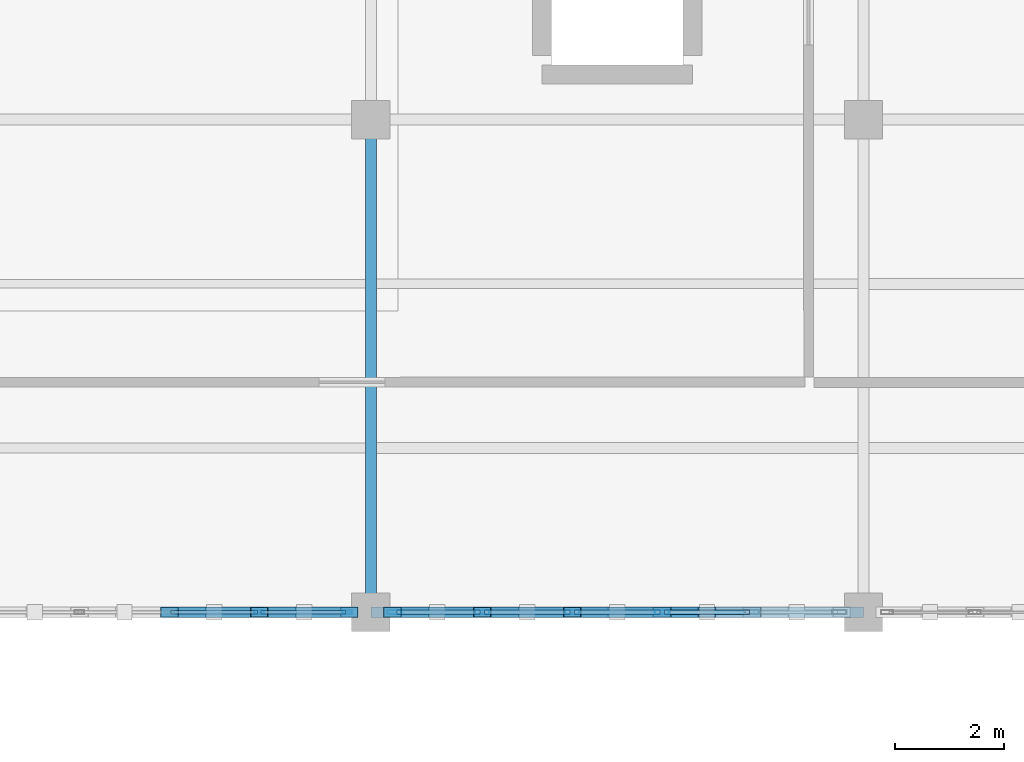
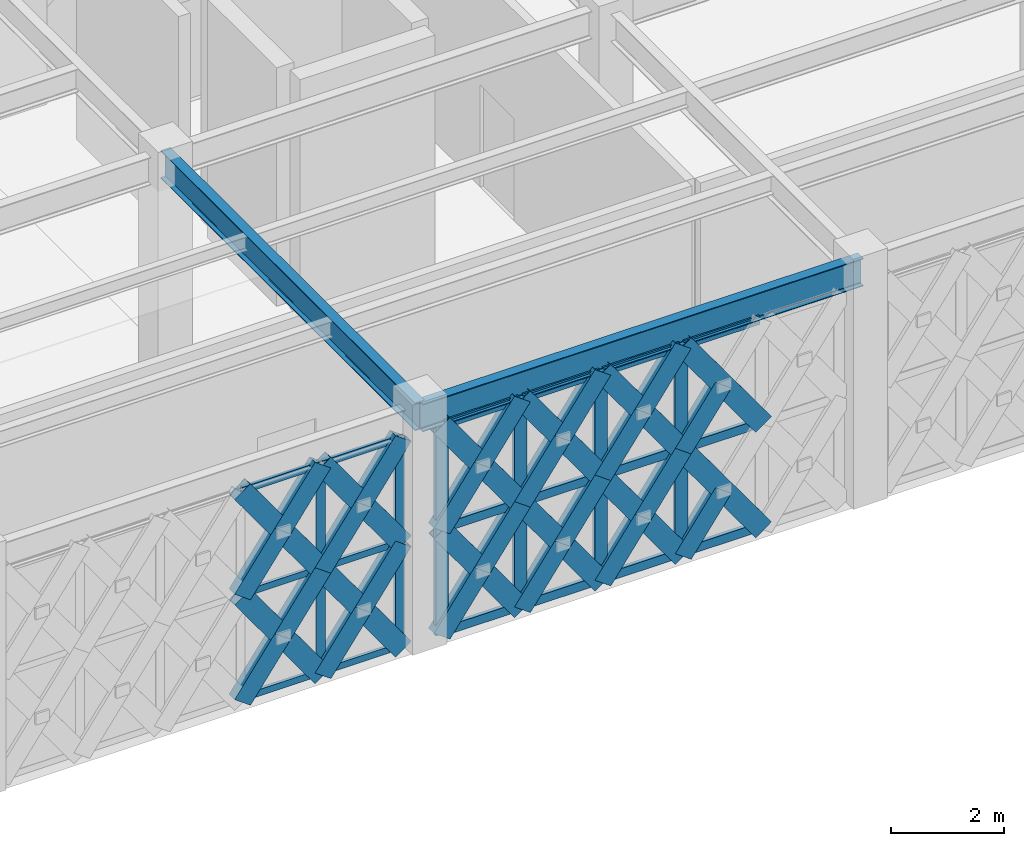
# One storey, part 7 of 72: 58 members, 2 beams, 2 elements without a shape of their own.
"""IFC4 building model written with IfcOpenShell, lengths in metres."""

from ifc_helpers import new_model, si_unit, direction, frame, origin, origin_2d, place, context, subcontext, project, spatial, hollow_rectangle, i_section, extrude, material, material_profile, profile_set, type_object, element, aggregate, save


model = new_model("IFC4")

# Units and contexts
model_context = context("Model", 3, precision=1e-05, world=origin(), true_north=direction((0.0, 1.0)))
body_context = subcontext(model_context, "Body", "Model", "MODEL_VIEW")
ifc_project = project(units=[si_unit("LENGTHUNIT", "METRE"), si_unit("AREAUNIT", "SQUARE_METRE"), si_unit("VOLUMEUNIT", "CUBIC_METRE"), si_unit("PLANEANGLEUNIT", "RADIAN"), si_unit("MASSUNIT", "GRAM", prefix="KILO")], contexts=[model_context])

# Site, building, storey
site_placement = place(None, origin())
site = spatial("IfcSite", under=ifc_project, at=site_placement, CompositionType="ELEMENT")
building_placement = place(site_placement, origin())
building = spatial("IfcBuilding", under=site, at=building_placement, Name="Haizhuo Lancet Aquarium", CompositionType="ELEMENT")
storey_placement = place(building_placement, frame((0.0, 0.0, 21.60009765625)))
storey = spatial("IfcBuildingStorey", under=building, at=storey_placement, Name="L04", CompositionType="ELEMENT", Elevation=21.60009765625)

# Beams
ifc_material_1 = material(Name="Steel S355", Category="steel")
ifc_material_profile_1 = material_profile(ifc_material_1, i_section(OverallWidth=0.199951171875, OverallDepth=0.60009765625, WebThickness=0.010986328125, FlangeThickness=0.01708984375, FilletRadius=0.02197265625, at=origin_2d()), Name="HN 600x200x11x17")
ifc_profile_set_1 = profile_set([ifc_material_profile_1], Name="Steel S355")
beam_type = type_object("IfcBeamType", Name="BM-ST-HN600", PredefinedType="BEAM", material=ifc_profile_set_1)
for number, where, z_axis, x_axis, name in (
    (1, (-63.0, -27.0, 4.849853515625), (0.0, 1.0, 0.0), (-1.0, 0.0, 0.0), "L04 V6 primary girder BM-L04-V6-009"),
    (2, (-63.0, -27.0, 4.849853515625), (1.0, 0.0, 0.0), (0.0, 1.0, 0.0), "L04 V6 primary girder BM-L04-V6-010"),
):
    element("IfcBeam", number, at=place(storey_placement, frame(where, z_axis=z_axis, x_axis=x_axis)), inside=storey, type_object=beam_type, Name=name, PredefinedType="BEAM", context=body_context, shape_type="SweptSolid", body=[
        extrude(i_section(OverallWidth=0.199951171875, OverallDepth=0.60009765625, WebThickness=0.010986328125, FlangeThickness=0.01708984375, FilletRadius=0.02197265625, at=origin_2d()), origin(), (0.0, 0.0, 1.0), 9.0),
    ])

# Curtain wall, members
ifc_material_2 = material(Name="Aluminium 6063-T6", Category="aluminium")
curtain_wall_type = type_object("IfcCurtainWallType", Name="CWD-8210x4550", PredefinedType="NOTDEFINED", material=ifc_material_2)
curtain_wall_1_placement = place(storey_placement, origin())
curtain_wall_1 = element("IfcCurtainWall", 3, at=curtain_wall_1_placement, inside=storey, type_object=curtain_wall_type, Name="L04 curtain wall CW-V6-L04-256", PredefinedType="NOTDEFINED")
ifc_material_profile_2 = material_profile(ifc_material_2, hollow_rectangle(XDim=0.06494140625, YDim=0.179931640625, WallThickness=0.00390625, at=origin_2d()), Name="ALU-M 65x180x4")
ifc_profile_set_2 = profile_set([ifc_material_profile_2], Name="Aluminium 6063-T6")
member_type_1 = type_object("IfcMemberType", Name="CW-MUL-1", PredefinedType="MULLION", material=ifc_profile_set_2)
member_1_placement = place(storey_placement, frame((-63.427978515625, -27.0, 0.0), z_axis=(0.0, 0.0, 1.0), x_axis=(0.0, -1.0, 0.0)))
member_1 = element("IfcMember", 4, at=member_1_placement, type_object=member_type_1, Name="CWD-82x45 mullion 1", PredefinedType="MULLION", context=body_context, shape_type="SweptSolid", body=[
    extrude(hollow_rectangle(XDim=0.06494140625, YDim=0.179931640625, WallThickness=0.00390625, at=origin_2d()), origin(), (0.0, 0.0, 1.0), 4.5498046875),
])
member_2_placement = place(storey_placement, frame((-65.037109375, -27.0, 0.0), z_axis=(0.0, 0.0, 1.0), x_axis=(0.0, -1.0, 0.0)))
member_2 = element("IfcMember", 5, at=member_2_placement, type_object=member_type_1, Name="CWD-82x45 mullion 2", PredefinedType="MULLION", context=body_context, shape_type="SweptSolid", body=[
    extrude(hollow_rectangle(XDim=0.06494140625, YDim=0.179931640625, WallThickness=0.00390625, at=origin_2d()), origin(), (0.0, 0.0, 1.0), 4.5498046875),
])

curtain_wall_2_placement = place(storey_placement, origin())
curtain_wall_2 = element("IfcCurtainWall", 6, at=curtain_wall_2_placement, inside=storey, type_object=curtain_wall_type, Name="L04 curtain wall CW-V6-L04-255", PredefinedType="NOTDEFINED")
ifc_material_profile_3 = material_profile(ifc_material_2, hollow_rectangle(XDim=0.080078125, YDim=0.260009765625, WallThickness=0.0048828125, at=origin_2d()), Name="ALU-M 80x260x5")
ifc_profile_set_3 = profile_set([ifc_material_profile_3], Name="Aluminium 6063-T6")
member_type_2 = type_object("IfcMemberType", Name="CW-MUL-3", PredefinedType="MULLION", material=ifc_profile_set_3)
member_3_placement = place(storey_placement, frame((-57.678955078125, -27.0, 0.0), z_axis=(0.0, 0.0, 1.0), x_axis=(0.0, -1.0, 0.0)))
member_3 = element("IfcMember", 7, at=member_3_placement, type_object=member_type_2, Name="CWD-82x45 mullion 3", PredefinedType="MULLION", context=body_context, shape_type="SweptSolid", body=[
    extrude(hollow_rectangle(XDim=0.080078125, YDim=0.260009765625, WallThickness=0.0048828125, at=origin_2d()), origin(), (0.0, 0.0, 1.0), 4.5498046875),
])
member_4_placement = place(storey_placement, frame((-59.321044921875, -27.0, 0.0), z_axis=(0.0, 0.0, 1.0), x_axis=(0.0, -1.0, 0.0)))
member_4 = element("IfcMember", 8, at=member_4_placement, type_object=member_type_2, Name="CWD-82x45 mullion 4", PredefinedType="MULLION", context=body_context, shape_type="SweptSolid", body=[
    extrude(hollow_rectangle(XDim=0.080078125, YDim=0.260009765625, WallThickness=0.0048828125, at=origin_2d()), origin(), (0.0, 0.0, 1.0), 4.5498046875),
])
member_5_placement = place(storey_placement, frame((-60.962890625, -27.0, 0.0), z_axis=(0.0, 0.0, 1.0), x_axis=(0.0, -1.0, 0.0)))
member_5 = element("IfcMember", 9, at=member_5_placement, type_object=member_type_2, Name="CWD-82x45 mullion 5", PredefinedType="MULLION", context=body_context, shape_type="SweptSolid", body=[
    extrude(hollow_rectangle(XDim=0.080078125, YDim=0.260009765625, WallThickness=0.0048828125, at=origin_2d()), origin(), (0.0, 0.0, 1.0), 4.5498046875),
])
member_6_placement = place(storey_placement, frame((-62.56494140625, -27.0, 0.0), z_axis=(0.0, 0.0, 1.0), x_axis=(0.0, -1.0, 0.0)))
member_6 = element("IfcMember", 10, at=member_6_placement, type_object=member_type_2, Name="CWD-82x45 mullion 6", PredefinedType="MULLION", context=body_context, shape_type="SweptSolid", body=[
    extrude(hollow_rectangle(XDim=0.080078125, YDim=0.260009765625, WallThickness=0.0048828125, at=origin_2d()), origin(), (0.0, 0.0, 1.0), 4.5498046875),
])

# Member
ifc_material_profile_4 = material_profile(ifc_material_2, hollow_rectangle(XDim=0.06494140625, YDim=0.139892578125, WallThickness=0.00390625, at=origin_2d()), Name="ALU-T 65x140x4")
ifc_profile_set_4 = profile_set([ifc_material_profile_4], Name="Aluminium 6063-T6")
member_type_3 = type_object("IfcMemberType", Name="CW-TRN-1", PredefinedType="NOTDEFINED", material=ifc_profile_set_4)
member_7_placement = place(storey_placement, frame((-63.4599609375, -27.0, 0.032958984375), z_axis=(-1.0, 0.0, 0.0), x_axis=(0.0, -1.0, 0.0)))
member_7 = element("IfcMember", 11, at=member_7_placement, type_object=member_type_3, Name="CWD-82x45 transom 1.1", ObjectType="TRANSOM", PredefinedType="USERDEFINED", context=body_context, shape_type="SweptSolid", body=[
    extrude(hollow_rectangle(XDim=0.06494140625, YDim=0.139892578125, WallThickness=0.00390625, at=origin_2d()), origin(), (0.0, 0.0, 1.0), 1.544921875),
])

member_8_placement = place(storey_placement, frame((-63.4599609375, -27.0, 2.27490234375), z_axis=(-1.0, 0.0, 0.0), x_axis=(0.0, -1.0, 0.0)))
member_8 = element("IfcMember", 12, at=member_8_placement, type_object=member_type_3, Name="CWD-82x45 transom 1.2", ObjectType="TRANSOM", PredefinedType="USERDEFINED", context=body_context, shape_type="SweptSolid", body=[
    extrude(hollow_rectangle(XDim=0.06494140625, YDim=0.139892578125, WallThickness=0.00390625, at=origin_2d()), origin(), (0.0, 0.0, 1.0), 1.544921875),
])

member_9_placement = place(storey_placement, frame((-63.4599609375, -27.0, 4.516845703125), z_axis=(-1.0, 0.0, 0.0), x_axis=(0.0, -1.0, 0.0)))
member_9 = element("IfcMember", 13, at=member_9_placement, type_object=member_type_3, Name="CWD-82x45 transom 1.3", ObjectType="TRANSOM", PredefinedType="USERDEFINED", context=body_context, shape_type="SweptSolid", body=[
    extrude(hollow_rectangle(XDim=0.06494140625, YDim=0.139892578125, WallThickness=0.00390625, at=origin_2d()), origin(), (0.0, 0.0, 1.0), 1.544921875),
])

member_10_placement = place(storey_placement, frame((-65.070068359375, -27.0, 0.032958984375), z_axis=(-1.0, 0.0, 0.0), x_axis=(0.0, -1.0, 0.0)))
member_10 = element("IfcMember", 14, at=member_10_placement, type_object=member_type_3, Name="CWD-82x45 transom 2.1", ObjectType="TRANSOM", PredefinedType="USERDEFINED", context=body_context, shape_type="SweptSolid", body=[
    extrude(hollow_rectangle(XDim=0.06494140625, YDim=0.139892578125, WallThickness=0.00390625, at=origin_2d()), origin(), (0.0, 0.0, 1.0), 1.576904296875),
])

member_11_placement = place(storey_placement, frame((-65.070068359375, -27.0, 2.27490234375), z_axis=(-1.0, 0.0, 0.0), x_axis=(0.0, -1.0, 0.0)))
member_11 = element("IfcMember", 15, at=member_11_placement, type_object=member_type_3, Name="CWD-82x45 transom 2.2", ObjectType="TRANSOM", PredefinedType="USERDEFINED", context=body_context, shape_type="SweptSolid", body=[
    extrude(hollow_rectangle(XDim=0.06494140625, YDim=0.139892578125, WallThickness=0.00390625, at=origin_2d()), origin(), (0.0, 0.0, 1.0), 1.576904296875),
])

member_12_placement = place(storey_placement, frame((-65.070068359375, -27.0, 4.516845703125), z_axis=(-1.0, 0.0, 0.0), x_axis=(0.0, -1.0, 0.0)))
member_12 = element("IfcMember", 16, at=member_12_placement, type_object=member_type_3, Name="CWD-82x45 transom 2.3", ObjectType="TRANSOM", PredefinedType="USERDEFINED", context=body_context, shape_type="SweptSolid", body=[
    extrude(hollow_rectangle(XDim=0.06494140625, YDim=0.139892578125, WallThickness=0.00390625, at=origin_2d()), origin(), (0.0, 0.0, 1.0), 1.576904296875),
])

aggregate(curtain_wall_1, [member_1, member_2, member_7, member_8, member_9, member_10, member_11, member_12])

ifc_material_profile_5 = material_profile(ifc_material_2, hollow_rectangle(XDim=0.080078125, YDim=0.18994140625, WallThickness=0.0048828125, at=origin_2d()), Name="ALU-T 80x190x5")
ifc_profile_set_5 = profile_set([ifc_material_profile_5], Name="Aluminium 6063-T6")
member_type_4 = type_object("IfcMemberType", Name="CW-TRN-3", PredefinedType="NOTDEFINED", material=ifc_profile_set_5)
member_13_placement = place(storey_placement, frame((-56.076904296875, -27.0, 0.039794921875), z_axis=(-1.0, 0.0, 0.0), x_axis=(0.0, -1.0, 0.0)))
member_13 = element("IfcMember", 17, at=member_13_placement, type_object=member_type_4, Name="CWD-82x45 transom 2.1", ObjectType="TRANSOM", PredefinedType="USERDEFINED", context=body_context, shape_type="SweptSolid", body=[
    extrude(hollow_rectangle(XDim=0.080078125, YDim=0.18994140625, WallThickness=0.0048828125, at=origin_2d()), origin(), (0.0, 0.0, 1.0), 1.56201171875),
])

member_14_placement = place(storey_placement, frame((-56.076904296875, -27.0, 2.27490234375), z_axis=(-1.0, 0.0, 0.0), x_axis=(0.0, -1.0, 0.0)))
member_14 = element("IfcMember", 18, at=member_14_placement, type_object=member_type_4, Name="CWD-82x45 transom 2.2", ObjectType="TRANSOM", PredefinedType="USERDEFINED", context=body_context, shape_type="SweptSolid", body=[
    extrude(hollow_rectangle(XDim=0.080078125, YDim=0.18994140625, WallThickness=0.0048828125, at=origin_2d()), origin(), (0.0, 0.0, 1.0), 1.56201171875),
])

member_15_placement = place(storey_placement, frame((-56.076904296875, -27.0, 4.510009765625), z_axis=(-1.0, 0.0, 0.0), x_axis=(0.0, -1.0, 0.0)))
member_15 = element("IfcMember", 19, at=member_15_placement, type_object=member_type_4, Name="CWD-82x45 transom 2.3", ObjectType="TRANSOM", PredefinedType="USERDEFINED", context=body_context, shape_type="SweptSolid", body=[
    extrude(hollow_rectangle(XDim=0.080078125, YDim=0.18994140625, WallThickness=0.0048828125, at=origin_2d()), origin(), (0.0, 0.0, 1.0), 1.56201171875),
])

member_16_placement = place(storey_placement, frame((-57.718994140625, -27.0, 0.039794921875), z_axis=(-1.0, 0.0, 0.0), x_axis=(0.0, -1.0, 0.0)))
member_16 = element("IfcMember", 20, at=member_16_placement, type_object=member_type_4, Name="CWD-82x45 transom 3.1", ObjectType="TRANSOM", PredefinedType="USERDEFINED", context=body_context, shape_type="SweptSolid", body=[
    extrude(hollow_rectangle(XDim=0.080078125, YDim=0.18994140625, WallThickness=0.0048828125, at=origin_2d()), origin(), (0.0, 0.0, 1.0), 1.56201171875),
])

member_17_placement = place(storey_placement, frame((-57.718994140625, -27.0, 2.27490234375), z_axis=(-1.0, 0.0, 0.0), x_axis=(0.0, -1.0, 0.0)))
member_17 = element("IfcMember", 21, at=member_17_placement, type_object=member_type_4, Name="CWD-82x45 transom 3.2", ObjectType="TRANSOM", PredefinedType="USERDEFINED", context=body_context, shape_type="SweptSolid", body=[
    extrude(hollow_rectangle(XDim=0.080078125, YDim=0.18994140625, WallThickness=0.0048828125, at=origin_2d()), origin(), (0.0, 0.0, 1.0), 1.56201171875),
])

member_18_placement = place(storey_placement, frame((-57.718994140625, -27.0, 4.510009765625), z_axis=(-1.0, 0.0, 0.0), x_axis=(0.0, -1.0, 0.0)))
member_18 = element("IfcMember", 22, at=member_18_placement, type_object=member_type_4, Name="CWD-82x45 transom 3.3", ObjectType="TRANSOM", PredefinedType="USERDEFINED", context=body_context, shape_type="SweptSolid", body=[
    extrude(hollow_rectangle(XDim=0.080078125, YDim=0.18994140625, WallThickness=0.0048828125, at=origin_2d()), origin(), (0.0, 0.0, 1.0), 1.56201171875),
])

member_19_placement = place(storey_placement, frame((-59.361083984375, -27.0, 0.039794921875), z_axis=(-1.0, 0.0, 0.0), x_axis=(0.0, -1.0, 0.0)))
member_19 = element("IfcMember", 23, at=member_19_placement, type_object=member_type_4, Name="CWD-82x45 transom 4.1", ObjectType="TRANSOM", PredefinedType="USERDEFINED", context=body_context, shape_type="SweptSolid", body=[
    extrude(hollow_rectangle(XDim=0.080078125, YDim=0.18994140625, WallThickness=0.0048828125, at=origin_2d()), origin(), (0.0, 0.0, 1.0), 1.56201171875),
])

member_20_placement = place(storey_placement, frame((-59.361083984375, -27.0, 2.27490234375), z_axis=(-1.0, 0.0, 0.0), x_axis=(0.0, -1.0, 0.0)))
member_20 = element("IfcMember", 24, at=member_20_placement, type_object=member_type_4, Name="CWD-82x45 transom 4.2", ObjectType="TRANSOM", PredefinedType="USERDEFINED", context=body_context, shape_type="SweptSolid", body=[
    extrude(hollow_rectangle(XDim=0.080078125, YDim=0.18994140625, WallThickness=0.0048828125, at=origin_2d()), origin(), (0.0, 0.0, 1.0), 1.56201171875),
])

member_21_placement = place(storey_placement, frame((-59.361083984375, -27.0, 4.510009765625), z_axis=(-1.0, 0.0, 0.0), x_axis=(0.0, -1.0, 0.0)))
member_21 = element("IfcMember", 25, at=member_21_placement, type_object=member_type_4, Name="CWD-82x45 transom 4.3", ObjectType="TRANSOM", PredefinedType="USERDEFINED", context=body_context, shape_type="SweptSolid", body=[
    extrude(hollow_rectangle(XDim=0.080078125, YDim=0.18994140625, WallThickness=0.0048828125, at=origin_2d()), origin(), (0.0, 0.0, 1.0), 1.56201171875),
])

member_22_placement = place(storey_placement, frame((-61.0029296875, -27.0, 0.039794921875), z_axis=(-1.0, 0.0, 0.0), x_axis=(0.0, -1.0, 0.0)))
member_22 = element("IfcMember", 26, at=member_22_placement, type_object=member_type_4, Name="CWD-82x45 transom 5.1", ObjectType="TRANSOM", PredefinedType="USERDEFINED", context=body_context, shape_type="SweptSolid", body=[
    extrude(hollow_rectangle(XDim=0.080078125, YDim=0.18994140625, WallThickness=0.0048828125, at=origin_2d()), origin(), (0.0, 0.0, 1.0), 1.52197265625),
])

member_23_placement = place(storey_placement, frame((-61.0029296875, -27.0, 2.27490234375), z_axis=(-1.0, 0.0, 0.0), x_axis=(0.0, -1.0, 0.0)))
member_23 = element("IfcMember", 27, at=member_23_placement, type_object=member_type_4, Name="CWD-82x45 transom 5.2", ObjectType="TRANSOM", PredefinedType="USERDEFINED", context=body_context, shape_type="SweptSolid", body=[
    extrude(hollow_rectangle(XDim=0.080078125, YDim=0.18994140625, WallThickness=0.0048828125, at=origin_2d()), origin(), (0.0, 0.0, 1.0), 1.52197265625),
])

member_24_placement = place(storey_placement, frame((-61.0029296875, -27.0, 4.510009765625), z_axis=(-1.0, 0.0, 0.0), x_axis=(0.0, -1.0, 0.0)))
member_24 = element("IfcMember", 28, at=member_24_placement, type_object=member_type_4, Name="CWD-82x45 transom 5.3", ObjectType="TRANSOM", PredefinedType="USERDEFINED", context=body_context, shape_type="SweptSolid", body=[
    extrude(hollow_rectangle(XDim=0.080078125, YDim=0.18994140625, WallThickness=0.0048828125, at=origin_2d()), origin(), (0.0, 0.0, 1.0), 1.52197265625),
])

aggregate(curtain_wall_2, [member_3, member_4, member_5, member_6, member_13, member_14, member_15, member_16, member_17, member_18, member_19, member_20, member_21, member_22, member_23, member_24])

# Members
ifc_material_profile_6 = material_profile(ifc_material_1, hollow_rectangle(XDim=0.199951171875, YDim=0.39990234375, WallThickness=0.011962890625, at=origin_2d()), Name="RHS 200x400x12")
ifc_profile_set_6 = profile_set([ifc_material_profile_6], Name="Steel S355")
member_type_5 = type_object("IfcMemberType", Name="MEM-LB-RHS200x400", PredefinedType="BRACE", material=ifc_profile_set_6)
member_25_placement = place(storey_placement, frame((-56.037109375, -27.0, 0.0), z_axis=(-0.585223630803, 0.0, 0.810871939304), x_axis=(0.0, -1.0, 0.0)))
element("IfcMember", 29, at=member_25_placement, inside=storey, type_object=member_type_5, Name="Gothic lancet continuous diagonal brace CW-V6-L04-255 3A", PredefinedType="BRACE", context=body_context, shape_type="SweptSolid", body=[
    extrude(hollow_rectangle(XDim=0.199951171875, YDim=0.39990234375, WallThickness=0.011962890625, at=origin_2d()), origin(), (0.0, 0.0, 1.0), 2.805419921875),
])
member_26_placement = place(storey_placement, frame((-57.678955078125, -27.0, 0.0), z_axis=(0.585115697402, 0.0, 0.810949826224), x_axis=(0.0, 1.0, 0.0)))
element("IfcMember", 30, at=member_26_placement, inside=storey, type_object=member_type_5, Name="Gothic lancet split diagonal brace CW-V6-L04-255 3B1", PredefinedType="BRACE", context=body_context, shape_type="SweptSolid", body=[
    extrude(hollow_rectangle(XDim=0.199951171875, YDim=0.39990234375, WallThickness=0.011962890625, at=origin_2d()), origin(), (0.0, 0.0, 1.0), 1.4033203125),
])
member_27_placement = place(storey_placement, frame((-56.037109375, -27.0, 2.27490234375), z_axis=(-0.585223630803, 0.0, 0.810871939304), x_axis=(0.0, -1.0, 0.0)))
element("IfcMember", 31, at=member_27_placement, inside=storey, type_object=member_type_5, Name="Gothic lancet continuous diagonal brace CW-V6-L04-255 4A", PredefinedType="BRACE", context=body_context, shape_type="SweptSolid", body=[
    extrude(hollow_rectangle(XDim=0.199951171875, YDim=0.39990234375, WallThickness=0.011962890625, at=origin_2d()), origin(), (0.0, 0.0, 1.0), 2.805419921875),
])
member_28_placement = place(storey_placement, frame((-57.678955078125, -27.0, 2.27490234375), z_axis=(0.585446060787, 0.0, 0.810711360417), x_axis=(0.0, 1.0, 0.0)))
element("IfcMember", 32, at=member_28_placement, inside=storey, type_object=member_type_5, Name="Gothic lancet split diagonal brace CW-V6-L04-255 4B1", PredefinedType="BRACE", context=body_context, shape_type="SweptSolid", body=[
    extrude(hollow_rectangle(XDim=0.199951171875, YDim=0.39990234375, WallThickness=0.011962890625, at=origin_2d()), origin(), (0.0, 0.0, 1.0), 1.40234375),
])
member_29_placement = place(storey_placement, frame((-57.678955078125, -27.0, 0.0), z_axis=(-0.585280844621, 0.0, 0.810830643797), x_axis=(0.0, -1.0, 0.0)))
element("IfcMember", 33, at=member_29_placement, inside=storey, type_object=member_type_5, Name="Gothic lancet continuous diagonal brace CW-V6-L04-255 5A", PredefinedType="BRACE", context=body_context, shape_type="SweptSolid", body=[
    extrude(hollow_rectangle(XDim=0.199951171875, YDim=0.39990234375, WallThickness=0.011962890625, at=origin_2d()), origin(), (0.0, 0.0, 1.0), 2.8056640625),
])
member_30_placement = place(storey_placement, frame((-59.321044921875, -27.0, 0.0), z_axis=(0.585115697402, 0.0, 0.810949826224), x_axis=(0.0, 1.0, 0.0)))
element("IfcMember", 34, at=member_30_placement, inside=storey, type_object=member_type_5, Name="Gothic lancet split diagonal brace CW-V6-L04-255 5B1", PredefinedType="BRACE", context=body_context, shape_type="SweptSolid", body=[
    extrude(hollow_rectangle(XDim=0.199951171875, YDim=0.39990234375, WallThickness=0.011962890625, at=origin_2d()), origin(), (0.0, 0.0, 1.0), 1.4033203125),
])
member_31_placement = place(storey_placement, frame((-58.5, -27.0, 1.137939453125), z_axis=(0.585446060787, 0.0, 0.810711360417), x_axis=(0.0, 1.0, 0.0)))
element("IfcMember", 35, at=member_31_placement, inside=storey, type_object=member_type_5, Name="Gothic lancet split diagonal brace CW-V6-L04-255 5B2", PredefinedType="BRACE", context=body_context, shape_type="SweptSolid", body=[
    extrude(hollow_rectangle(XDim=0.199951171875, YDim=0.39990234375, WallThickness=0.011962890625, at=origin_2d()), origin(), (0.0, 0.0, 1.0), 1.40234375),
])
member_32_placement = place(storey_placement, frame((-57.678955078125, -27.0, 2.27490234375), z_axis=(-0.585280844621, 0.0, 0.810830643797), x_axis=(0.0, -1.0, 0.0)))
element("IfcMember", 36, at=member_32_placement, inside=storey, type_object=member_type_5, Name="Gothic lancet continuous diagonal brace CW-V6-L04-255 6A", PredefinedType="BRACE", context=body_context, shape_type="SweptSolid", body=[
    extrude(hollow_rectangle(XDim=0.199951171875, YDim=0.39990234375, WallThickness=0.011962890625, at=origin_2d()), origin(), (0.0, 0.0, 1.0), 2.8056640625),
])
member_33_placement = place(storey_placement, frame((-59.321044921875, -27.0, 2.27490234375), z_axis=(0.585446060787, 0.0, 0.810711360417), x_axis=(0.0, 1.0, 0.0)))
element("IfcMember", 37, at=member_33_placement, inside=storey, type_object=member_type_5, Name="Gothic lancet split diagonal brace CW-V6-L04-255 6B1", PredefinedType="BRACE", context=body_context, shape_type="SweptSolid", body=[
    extrude(hollow_rectangle(XDim=0.199951171875, YDim=0.39990234375, WallThickness=0.011962890625, at=origin_2d()), origin(), (0.0, 0.0, 1.0), 1.40234375),
])
member_34_placement = place(storey_placement, frame((-58.5, -27.0, 3.411865234375), z_axis=(0.585115697402, 0.0, 0.810949826224), x_axis=(0.0, 1.0, 0.0)))
element("IfcMember", 38, at=member_34_placement, inside=storey, type_object=member_type_5, Name="Gothic lancet split diagonal brace CW-V6-L04-255 6B2", PredefinedType="BRACE", context=body_context, shape_type="SweptSolid", body=[
    extrude(hollow_rectangle(XDim=0.199951171875, YDim=0.39990234375, WallThickness=0.011962890625, at=origin_2d()), origin(), (0.0, 0.0, 1.0), 1.4033203125),
])
member_35_placement = place(storey_placement, frame((-59.321044921875, -27.0, 0.0), z_axis=(-0.585223630803, 0.0, 0.810871939304), x_axis=(0.0, -1.0, 0.0)))
element("IfcMember", 39, at=member_35_placement, inside=storey, type_object=member_type_5, Name="Gothic lancet continuous diagonal brace CW-V6-L04-255 7A", PredefinedType="BRACE", context=body_context, shape_type="SweptSolid", body=[
    extrude(hollow_rectangle(XDim=0.199951171875, YDim=0.39990234375, WallThickness=0.011962890625, at=origin_2d()), origin(), (0.0, 0.0, 1.0), 2.805419921875),
])
member_36_placement = place(storey_placement, frame((-60.962890625, -27.0, 0.0), z_axis=(0.585001259689, 0.0, 0.81103238293), x_axis=(0.0, 1.0, 0.0)))
element("IfcMember", 40, at=member_36_placement, inside=storey, type_object=member_type_5, Name="Gothic lancet split diagonal brace CW-V6-L04-255 7B1", PredefinedType="BRACE", context=body_context, shape_type="SweptSolid", body=[
    extrude(hollow_rectangle(XDim=0.199951171875, YDim=0.39990234375, WallThickness=0.011962890625, at=origin_2d()), origin(), (0.0, 0.0, 1.0), 1.403076171875),
])
member_37_placement = place(storey_placement, frame((-60.14208984375, -27.0, 1.137939453125), z_axis=(0.585446060787, 0.0, 0.810711360417), x_axis=(0.0, 1.0, 0.0)))
element("IfcMember", 41, at=member_37_placement, inside=storey, type_object=member_type_5, Name="Gothic lancet split diagonal brace CW-V6-L04-255 7B2", PredefinedType="BRACE", context=body_context, shape_type="SweptSolid", body=[
    extrude(hollow_rectangle(XDim=0.199951171875, YDim=0.39990234375, WallThickness=0.011962890625, at=origin_2d()), origin(), (0.0, 0.0, 1.0), 1.40234375),
])
member_38_placement = place(storey_placement, frame((-59.321044921875, -27.0, 2.27490234375), z_axis=(-0.585223630803, 0.0, 0.810871939304), x_axis=(0.0, -1.0, 0.0)))
element("IfcMember", 42, at=member_38_placement, inside=storey, type_object=member_type_5, Name="Gothic lancet continuous diagonal brace CW-V6-L04-255 8A", PredefinedType="BRACE", context=body_context, shape_type="SweptSolid", body=[
    extrude(hollow_rectangle(XDim=0.199951171875, YDim=0.39990234375, WallThickness=0.011962890625, at=origin_2d()), origin(), (0.0, 0.0, 1.0), 2.805419921875),
])
member_39_placement = place(storey_placement, frame((-60.962890625, -27.0, 2.27490234375), z_axis=(0.585331625772, 0.0, 0.810793986085), x_axis=(0.0, 1.0, 0.0)))
element("IfcMember", 43, at=member_39_placement, inside=storey, type_object=member_type_5, Name="Gothic lancet split diagonal brace CW-V6-L04-255 8B1", PredefinedType="BRACE", context=body_context, shape_type="SweptSolid", body=[
    extrude(hollow_rectangle(XDim=0.199951171875, YDim=0.39990234375, WallThickness=0.011962890625, at=origin_2d()), origin(), (0.0, 0.0, 1.0), 1.40234375),
])
member_40_placement = place(storey_placement, frame((-60.14208984375, -27.0, 3.411865234375), z_axis=(0.585115697402, 0.0, 0.810949826224), x_axis=(0.0, 1.0, 0.0)))
element("IfcMember", 44, at=member_40_placement, inside=storey, type_object=member_type_5, Name="Gothic lancet split diagonal brace CW-V6-L04-255 8B2", PredefinedType="BRACE", context=body_context, shape_type="SweptSolid", body=[
    extrude(hollow_rectangle(XDim=0.199951171875, YDim=0.39990234375, WallThickness=0.011962890625, at=origin_2d()), origin(), (0.0, 0.0, 1.0), 1.4033203125),
])
member_41_placement = place(storey_placement, frame((-60.962890625, -27.0, 0.0), z_axis=(-0.585280844621, 0.0, 0.810830643797), x_axis=(0.0, -1.0, 0.0)))
element("IfcMember", 45, at=member_41_placement, inside=storey, type_object=member_type_5, Name="Gothic lancet continuous diagonal brace CW-V6-L04-255 9A", PredefinedType="BRACE", context=body_context, shape_type="SweptSolid", body=[
    extrude(hollow_rectangle(XDim=0.199951171875, YDim=0.39990234375, WallThickness=0.011962890625, at=origin_2d()), origin(), (0.0, 0.0, 1.0), 2.8056640625),
])
member_42_placement = place(storey_placement, frame((-62.60498046875, -27.0, 0.0), z_axis=(0.585115697402, 0.0, 0.810949826224), x_axis=(0.0, 1.0, 0.0)))
element("IfcMember", 46, at=member_42_placement, inside=storey, type_object=member_type_5, Name="Gothic lancet split diagonal brace CW-V6-L04-255 9B1", PredefinedType="BRACE", context=body_context, shape_type="SweptSolid", body=[
    extrude(hollow_rectangle(XDim=0.199951171875, YDim=0.39990234375, WallThickness=0.011962890625, at=origin_2d()), origin(), (0.0, 0.0, 1.0), 1.4033203125),
])
member_43_placement = place(storey_placement, frame((-61.783935546875, -27.0, 1.137939453125), z_axis=(0.585446060787, 0.0, 0.810711360417), x_axis=(0.0, 1.0, 0.0)))
element("IfcMember", 47, at=member_43_placement, inside=storey, type_object=member_type_5, Name="Gothic lancet split diagonal brace CW-V6-L04-255 9B2", PredefinedType="BRACE", context=body_context, shape_type="SweptSolid", body=[
    extrude(hollow_rectangle(XDim=0.199951171875, YDim=0.39990234375, WallThickness=0.011962890625, at=origin_2d()), origin(), (0.0, 0.0, 1.0), 1.40234375),
])
member_44_placement = place(storey_placement, frame((-60.962890625, -27.0, 2.27490234375), z_axis=(-0.585280844621, 0.0, 0.810830643797), x_axis=(0.0, -1.0, 0.0)))
element("IfcMember", 48, at=member_44_placement, inside=storey, type_object=member_type_5, Name="Gothic lancet continuous diagonal brace CW-V6-L04-255 10A", PredefinedType="BRACE", context=body_context, shape_type="SweptSolid", body=[
    extrude(hollow_rectangle(XDim=0.199951171875, YDim=0.39990234375, WallThickness=0.011962890625, at=origin_2d()), origin(), (0.0, 0.0, 1.0), 2.8056640625),
])
member_45_placement = place(storey_placement, frame((-62.60498046875, -27.0, 2.27490234375), z_axis=(0.585446060787, 0.0, 0.810711360417), x_axis=(0.0, 1.0, 0.0)))
element("IfcMember", 49, at=member_45_placement, inside=storey, type_object=member_type_5, Name="Gothic lancet split diagonal brace CW-V6-L04-255 10B1", PredefinedType="BRACE", context=body_context, shape_type="SweptSolid", body=[
    extrude(hollow_rectangle(XDim=0.199951171875, YDim=0.39990234375, WallThickness=0.011962890625, at=origin_2d()), origin(), (0.0, 0.0, 1.0), 1.40234375),
])
member_46_placement = place(storey_placement, frame((-61.783935546875, -27.0, 3.411865234375), z_axis=(0.585115697402, 0.0, 0.810949826224), x_axis=(0.0, 1.0, 0.0)))
element("IfcMember", 50, at=member_46_placement, inside=storey, type_object=member_type_5, Name="Gothic lancet split diagonal brace CW-V6-L04-255 10B2", PredefinedType="BRACE", context=body_context, shape_type="SweptSolid", body=[
    extrude(hollow_rectangle(XDim=0.199951171875, YDim=0.39990234375, WallThickness=0.011962890625, at=origin_2d()), origin(), (0.0, 0.0, 1.0), 1.4033203125),
])
member_47_placement = place(storey_placement, frame((-63.39501953125, -27.0, 0.0), z_axis=(-0.585280844621, 0.0, 0.810830643797), x_axis=(0.0, -1.0, 0.0)))
element("IfcMember", 51, at=member_47_placement, inside=storey, type_object=member_type_5, Name="Gothic lancet continuous diagonal brace CW-V6-L04-256 1A", PredefinedType="BRACE", context=body_context, shape_type="SweptSolid", body=[
    extrude(hollow_rectangle(XDim=0.199951171875, YDim=0.39990234375, WallThickness=0.011962890625, at=origin_2d()), origin(), (0.0, 0.0, 1.0), 2.8056640625),
])
member_48_placement = place(storey_placement, frame((-65.037109375, -27.0, 0.0), z_axis=(0.585115697402, 0.0, 0.810949826224), x_axis=(0.0, 1.0, 0.0)))
element("IfcMember", 52, at=member_48_placement, inside=storey, type_object=member_type_5, Name="Gothic lancet split diagonal brace CW-V6-L04-256 1B1", PredefinedType="BRACE", context=body_context, shape_type="SweptSolid", body=[
    extrude(hollow_rectangle(XDim=0.199951171875, YDim=0.39990234375, WallThickness=0.011962890625, at=origin_2d()), origin(), (0.0, 0.0, 1.0), 1.4033203125),
])
member_49_placement = place(storey_placement, frame((-64.216064453125, -27.0, 1.137939453125), z_axis=(0.585446060787, 0.0, 0.810711360417), x_axis=(0.0, 1.0, 0.0)))
element("IfcMember", 53, at=member_49_placement, inside=storey, type_object=member_type_5, Name="Gothic lancet split diagonal brace CW-V6-L04-256 1B2", PredefinedType="BRACE", context=body_context, shape_type="SweptSolid", body=[
    extrude(hollow_rectangle(XDim=0.199951171875, YDim=0.39990234375, WallThickness=0.011962890625, at=origin_2d()), origin(), (0.0, 0.0, 1.0), 1.40234375),
])
member_50_placement = place(storey_placement, frame((-63.39501953125, -27.0, 2.27490234375), z_axis=(-0.585280844621, 0.0, 0.810830643797), x_axis=(0.0, -1.0, 0.0)))
element("IfcMember", 54, at=member_50_placement, inside=storey, type_object=member_type_5, Name="Gothic lancet continuous diagonal brace CW-V6-L04-256 2A", PredefinedType="BRACE", context=body_context, shape_type="SweptSolid", body=[
    extrude(hollow_rectangle(XDim=0.199951171875, YDim=0.39990234375, WallThickness=0.011962890625, at=origin_2d()), origin(), (0.0, 0.0, 1.0), 2.8056640625),
])
member_51_placement = place(storey_placement, frame((-65.037109375, -27.0, 2.27490234375), z_axis=(0.585446060787, 0.0, 0.810711360417), x_axis=(0.0, 1.0, 0.0)))
element("IfcMember", 55, at=member_51_placement, inside=storey, type_object=member_type_5, Name="Gothic lancet split diagonal brace CW-V6-L04-256 2B1", PredefinedType="BRACE", context=body_context, shape_type="SweptSolid", body=[
    extrude(hollow_rectangle(XDim=0.199951171875, YDim=0.39990234375, WallThickness=0.011962890625, at=origin_2d()), origin(), (0.0, 0.0, 1.0), 1.40234375),
])
member_52_placement = place(storey_placement, frame((-64.216064453125, -27.0, 3.411865234375), z_axis=(0.585115697402, 0.0, 0.810949826224), x_axis=(0.0, 1.0, 0.0)))
element("IfcMember", 56, at=member_52_placement, inside=storey, type_object=member_type_5, Name="Gothic lancet split diagonal brace CW-V6-L04-256 2B2", PredefinedType="BRACE", context=body_context, shape_type="SweptSolid", body=[
    extrude(hollow_rectangle(XDim=0.199951171875, YDim=0.39990234375, WallThickness=0.011962890625, at=origin_2d()), origin(), (0.0, 0.0, 1.0), 1.4033203125),
])
member_53_placement = place(storey_placement, frame((-65.037109375, -27.0, 0.0), z_axis=(-0.585223630803, 0.0, 0.810871939304), x_axis=(0.0, -1.0, 0.0)))
element("IfcMember", 57, at=member_53_placement, inside=storey, type_object=member_type_5, Name="Gothic lancet continuous diagonal brace CW-V6-L04-256 3A", PredefinedType="BRACE", context=body_context, shape_type="SweptSolid", body=[
    extrude(hollow_rectangle(XDim=0.199951171875, YDim=0.39990234375, WallThickness=0.011962890625, at=origin_2d()), origin(), (0.0, 0.0, 1.0), 2.805419921875),
])
member_54_placement = place(storey_placement, frame((-66.678955078125, -27.0, 0.0), z_axis=(0.585115697402, 0.0, 0.810949826224), x_axis=(0.0, 1.0, 0.0)))
element("IfcMember", 58, at=member_54_placement, inside=storey, type_object=member_type_5, Name="Gothic lancet split diagonal brace CW-V6-L04-256 3B1", PredefinedType="BRACE", context=body_context, shape_type="SweptSolid", body=[
    extrude(hollow_rectangle(XDim=0.199951171875, YDim=0.39990234375, WallThickness=0.011962890625, at=origin_2d()), origin(), (0.0, 0.0, 1.0), 1.4033203125),
])
member_55_placement = place(storey_placement, frame((-65.85791015625, -27.0, 1.137939453125), z_axis=(0.585331625772, 0.0, 0.810793986085), x_axis=(0.0, 1.0, 0.0)))
element("IfcMember", 59, at=member_55_placement, inside=storey, type_object=member_type_5, Name="Gothic lancet split diagonal brace CW-V6-L04-256 3B2", PredefinedType="BRACE", context=body_context, shape_type="SweptSolid", body=[
    extrude(hollow_rectangle(XDim=0.199951171875, YDim=0.39990234375, WallThickness=0.011962890625, at=origin_2d()), origin(), (0.0, 0.0, 1.0), 1.40234375),
])
member_56_placement = place(storey_placement, frame((-65.037109375, -27.0, 2.27490234375), z_axis=(-0.585223630803, 0.0, 0.810871939304), x_axis=(0.0, -1.0, 0.0)))
element("IfcMember", 60, at=member_56_placement, inside=storey, type_object=member_type_5, Name="Gothic lancet continuous diagonal brace CW-V6-L04-256 4A", PredefinedType="BRACE", context=body_context, shape_type="SweptSolid", body=[
    extrude(hollow_rectangle(XDim=0.199951171875, YDim=0.39990234375, WallThickness=0.011962890625, at=origin_2d()), origin(), (0.0, 0.0, 1.0), 2.805419921875),
])
member_57_placement = place(storey_placement, frame((-66.678955078125, -27.0, 2.27490234375), z_axis=(0.585446060787, 0.0, 0.810711360417), x_axis=(0.0, 1.0, 0.0)))
element("IfcMember", 61, at=member_57_placement, inside=storey, type_object=member_type_5, Name="Gothic lancet split diagonal brace CW-V6-L04-256 4B1", PredefinedType="BRACE", context=body_context, shape_type="SweptSolid", body=[
    extrude(hollow_rectangle(XDim=0.199951171875, YDim=0.39990234375, WallThickness=0.011962890625, at=origin_2d()), origin(), (0.0, 0.0, 1.0), 1.40234375),
])
member_58_placement = place(storey_placement, frame((-65.85791015625, -27.0, 3.411865234375), z_axis=(0.585001259689, 0.0, 0.81103238293), x_axis=(0.0, 1.0, 0.0)))
element("IfcMember", 62, at=member_58_placement, inside=storey, type_object=member_type_5, Name="Gothic lancet split diagonal brace CW-V6-L04-256 4B2", PredefinedType="BRACE", context=body_context, shape_type="SweptSolid", body=[
    extrude(hollow_rectangle(XDim=0.199951171875, YDim=0.39990234375, WallThickness=0.011962890625, at=origin_2d()), origin(), (0.0, 0.0, 1.0), 1.403076171875),
])

save(model, "model.ifc")
